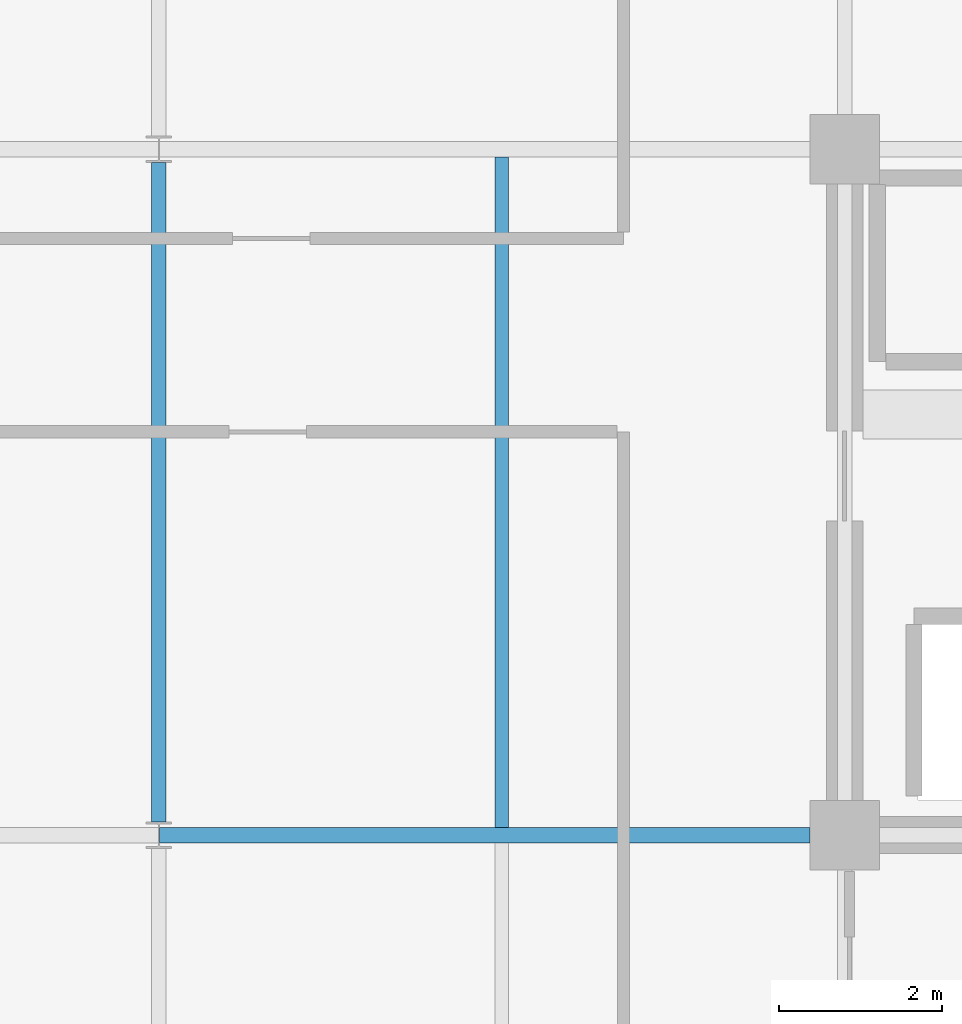
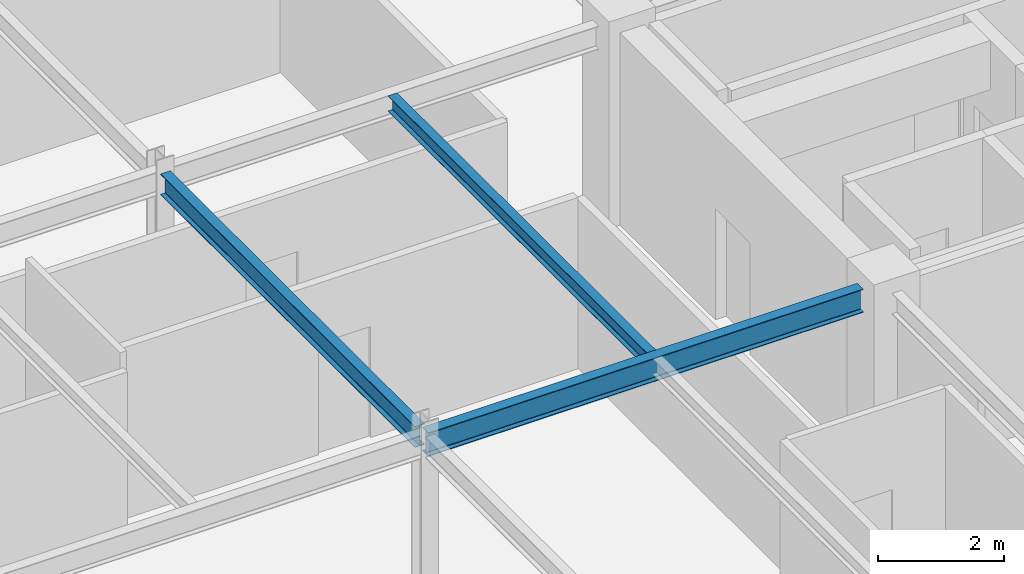
# One storey, part 6 of 26: 3 beams.
"""IFC4 building model written with IfcOpenShell, lengths in metres."""

from ifc_helpers import new_model, si_unit, direction, frame, origin, origin_2d, place, context, subcontext, project, spatial, i_section, extrude, material, material_profile, profile_set, type_object, element, save


model = new_model("IFC4")

# Units and contexts
model_context = context("Model", 3, precision=1e-05, world=origin(), true_north=direction((0.0, 1.0)))
body_context = subcontext(model_context, "Body", "Model", "MODEL_VIEW")
ifc_project = project(units=[si_unit("LENGTHUNIT", "METRE"), si_unit("AREAUNIT", "SQUARE_METRE"), si_unit("VOLUMEUNIT", "CUBIC_METRE"), si_unit("PLANEANGLEUNIT", "RADIAN"), si_unit("MASSUNIT", "GRAM", prefix="KILO")], contexts=[model_context])

# Site, building, storey
site_placement = place(None, origin())
site = spatial("IfcSite", under=ifc_project, at=site_placement, CompositionType="ELEMENT")
building_placement = place(site_placement, origin())
building = spatial("IfcBuilding", under=site, at=building_placement, Name="Nerrivon Quay Data Exchange", CompositionType="ELEMENT")
storey_placement = place(building_placement, frame((0.0, 0.0, 262.199951171875)))
storey = spatial("IfcBuildingStorey", under=building, at=storey_placement, Name="L62", CompositionType="ELEMENT", Elevation=262.199951171875)

# Beams
ifc_material = material(Name="Steel Grade 350", Category="steel")
ifc_material_profile_1 = material_profile(ifc_material, i_section(OverallWidth=0.18994140625, OverallDepth=0.4541015625, WebThickness=0.008544921875, FlangeThickness=0.0126953125, FilletRadius=0.011474609375, at=origin_2d()), Name="460UB67.1")
ifc_profile_set_1 = profile_set([ifc_material_profile_1], Name="Steel Grade 350")
beam_type_1 = type_object("IfcBeamType", Name="BM-G6-460UB67", PredefinedType="BEAM", material=ifc_profile_set_1)
beam_1_placement = place(storey_placement, frame((8.40771484375, 8.39990234375, 3.498046875), z_axis=(1.0, 0.0, 0.0), x_axis=(0.0, 1.0, 0.0)))
element("IfcBeam", 1, at=beam_1_placement, inside=storey, type_object=beam_type_1, Name="L62 EW Girder Y=8.4 (8.4..16.8)", PredefinedType="BEAM", context=body_context, shape_type="SweptSolid", body=[
    extrude(i_section(OverallWidth=0.18994140625, OverallDepth=0.4541015625, WebThickness=0.008544921875, FlangeThickness=0.0126953125, FilletRadius=0.011474609375, at=origin_2d()), origin(), (0.0, 0.0, 1.0), 7.96728515625),
])
ifc_material_profile_2 = material_profile(ifc_material, i_section(OverallWidth=0.177978515625, OverallDepth=0.406005859375, WebThickness=0.0078125, FlangeThickness=0.0126953125, FilletRadius=0.011474609375, at=origin_2d()), Name="410UB59.7")
ifc_profile_set_2 = profile_set([ifc_material_profile_2], Name="Steel Grade 350")
beam_type_2 = type_object("IfcBeamType", Name="BM-J1-410UB60", PredefinedType="JOIST", material=ifc_profile_set_2)
beam_2_placement = place(storey_placement, frame((8.39990234375, 8.5634765625, 3.52197265625), z_axis=(0.0, 1.0, 0.0), x_axis=(-1.0, 0.0, 0.0)))
element("IfcBeam", 2, at=beam_2_placement, inside=storey, type_object=beam_type_2, Name="L62 NS Girder X=8.4 (8.4..16.8)", PredefinedType="JOIST", context=body_context, shape_type="SweptSolid", body=[
    extrude(i_section(OverallWidth=0.177978515625, OverallDepth=0.406005859375, WebThickness=0.0078125, FlangeThickness=0.0126953125, FilletRadius=0.011474609375, at=origin_2d()), origin(), (0.0, 0.0, 1.0), 8.072998046875),
])
ifc_material_profile_3 = material_profile(ifc_material, i_section(OverallWidth=0.1650390625, OverallDepth=0.303955078125, WebThickness=0.006103515625, FlangeThickness=0.01025390625, FilletRadius=0.011474609375, at=origin_2d()), Name="310UB40.4")
ifc_profile_set_3 = profile_set([ifc_material_profile_3], Name="Steel Grade 350")
beam_type_3 = type_object("IfcBeamType", Name="BM-J6-310UB40", PredefinedType="JOIST", material=ifc_profile_set_3)
beam_3_placement = place(storey_placement, frame((12.60009765625, 8.4951171875, 3.572998046875), z_axis=(0.0, 1.0, 0.0), x_axis=(-1.0, 0.0, 0.0)))
element("IfcBeam", 3, at=beam_3_placement, inside=storey, type_object=beam_type_3, Name="L62 Secondary Joist X=12.6 (8.4..16.8)", PredefinedType="JOIST", context=body_context, shape_type="SweptSolid", body=[
    extrude(i_section(OverallWidth=0.1650390625, OverallDepth=0.303955078125, WebThickness=0.006103515625, FlangeThickness=0.01025390625, FilletRadius=0.011474609375, at=origin_2d()), origin(), (0.0, 0.0, 1.0), 8.2099609375),
])

save(model, "model.ifc")
